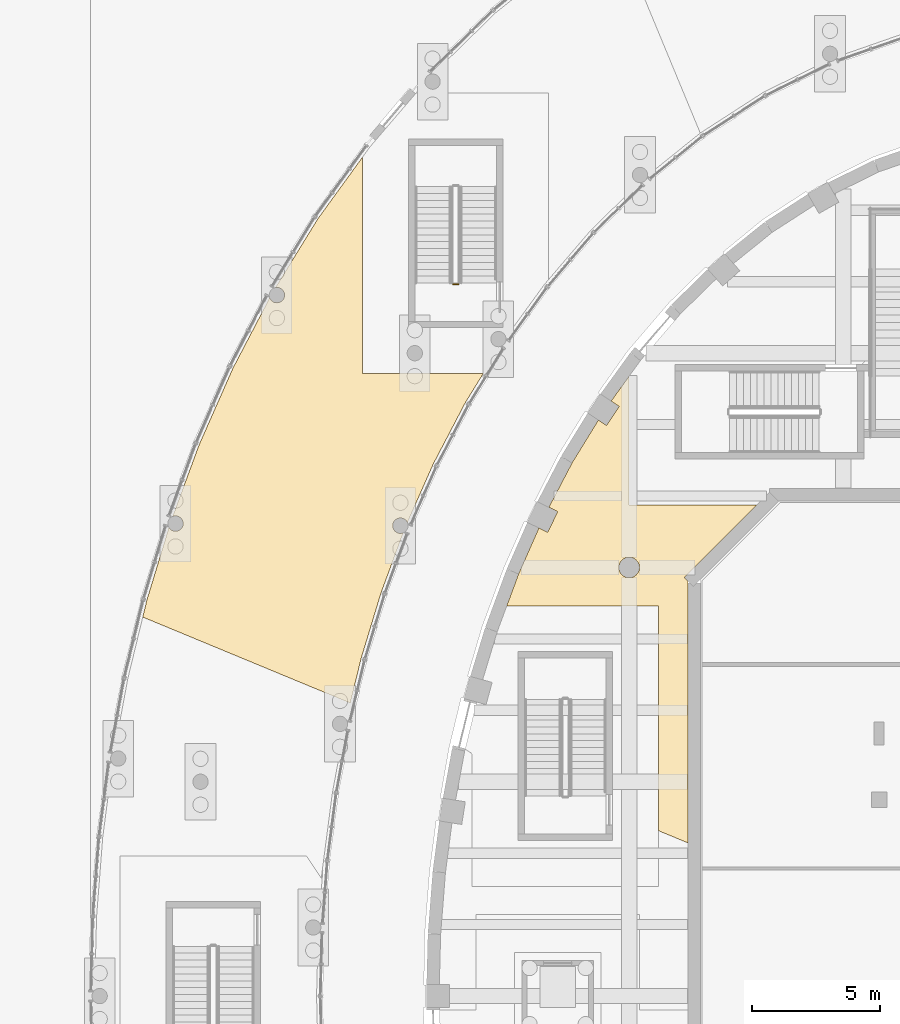
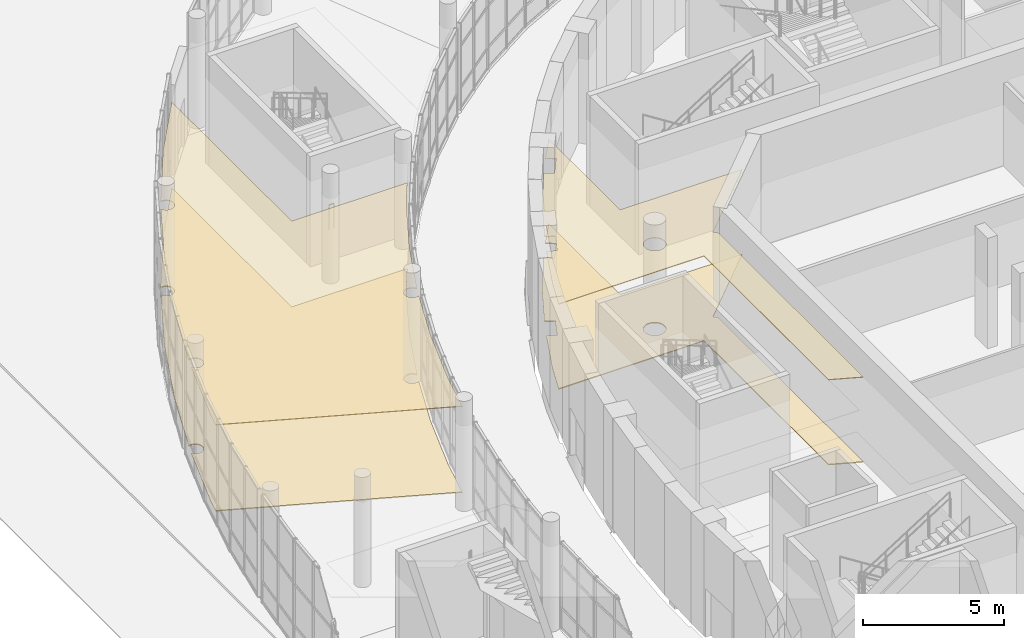
# One storey, part 98 of 110: 4 coverings, 1 railing.
"""IFC4 building model written with IfcOpenShell, lengths in metres."""

from ifc_helpers import new_model, si_unit, direction, frame, origin, origin_2d, place, context, subcontext, project, spatial, polyline, circle, outline, extrude, material, layer, layer_set, type_object, element, save


model = new_model("IFC4")

# Units and contexts
model_context = context("Model", 3, precision=1e-05, world=origin(), true_north=direction((0.0, 1.0)))
body_context = subcontext(model_context, "Body", "Model", "MODEL_VIEW")
ifc_project = project(units=[si_unit("LENGTHUNIT", "METRE"), si_unit("AREAUNIT", "SQUARE_METRE"), si_unit("VOLUMEUNIT", "CUBIC_METRE"), si_unit("PLANEANGLEUNIT", "RADIAN"), si_unit("MASSUNIT", "GRAM", prefix="KILO")], contexts=[model_context])

# Site, building, storey
site_placement = place(None, origin())
site = spatial("IfcSite", under=ifc_project, at=site_placement, CompositionType="ELEMENT")
building_placement = place(site_placement, origin())
building = spatial("IfcBuilding", under=site, at=building_placement, Name="Larchfold Concert Hall", CompositionType="ELEMENT")
storey_placement = place(building_placement, origin())
storey = spatial("IfcBuildingStorey", under=building, at=storey_placement, Name="L00", CompositionType="ELEMENT", Elevation=0.0)

# Coverings
ifc_material_1 = material(Name="Plasterboard ceiling lining")
ifc_layer_1 = layer(ifc_material_1, 0.030029296875)
ifc_layer_set_1 = layer_set([ifc_layer_1], Name="Plasterboard ceiling lining")
covering_type_1 = type_object("IfcCoveringType", Name="Ceiling suspended plasterboard 30", PredefinedType="CEILING", material=ifc_layer_set_1)
covering_1_placement = place(storey_placement, frame((0.0, 0.0, 3.670166015625)))
element("IfcCovering", 1, at=covering_1_placement, inside=storey, type_object=covering_type_1, Name="Ceiling Hall Foyer North West", PredefinedType="CEILING", context=body_context, shape_type="SweptSolid", body=[
    extrude(outline(polyline([(26.949951171875, 99.900146484375), (26.949951171875, 91.08251953125), (28.10009765625, 90.60595703125), (28.10009765625, 100.878662109375), (27.962646484375, 101.01611328125), (30.79638671875, 103.849853515625), (25.800048828125, 103.849853515625), (25.800048828125, 108.898681640625), (25.09423828125, 107.924560546875), (25.412353515625, 107.712158203125), (24.912841796875, 106.963623046875), (24.59423828125, 107.17626953125), (23.564208984375, 105.502685546875), (22.653564453125, 103.759765625), (23.000244140625, 103.59326171875), (22.6103515625, 102.781982421875), (22.262939453125, 102.948974609375), (21.468017578125, 101.149169921875), (21.00634765625, 99.900146484375), (26.949951171875, 99.900146484375)]), holes=[polyline([(25.60009765625, 101.053466796875), (25.556640625, 101.08251953125), (25.51708984375, 101.116943359375), (25.482666015625, 101.156494140625), (25.45361328125, 101.199951171875), (25.430419921875, 101.246826171875), (25.41357421875, 101.29638671875), (25.403564453125, 101.34765625), (25.400146484375, 101.39990234375), (25.403564453125, 101.4521484375), (25.41357421875, 101.50341796875), (25.430419921875, 101.552978515625), (25.45361328125, 101.599853515625), (25.482666015625, 101.643310546875), (25.51708984375, 101.682861328125), (25.556640625, 101.71728515625), (25.60009765625, 101.746337890625), (25.64697265625, 101.76953125), (25.696533203125, 101.786376953125), (25.747802734375, 101.79638671875), (25.800048828125, 101.7998046875), (25.852294921875, 101.79638671875), (25.903564453125, 101.786376953125), (25.953125, 101.76953125), (26.0, 101.746337890625), (26.04345703125, 101.71728515625), (26.0830078125, 101.682861328125), (26.117431640625, 101.643310546875), (26.146484375, 101.599853515625), (26.169677734375, 101.552978515625), (26.1865234375, 101.50341796875), (26.196533203125, 101.4521484375), (26.199951171875, 101.39990234375), (26.196533203125, 101.34765625), (26.1865234375, 101.29638671875), (26.169677734375, 101.246826171875), (26.146484375, 101.199951171875), (26.117431640625, 101.156494140625), (26.0830078125, 101.116943359375), (26.04345703125, 101.08251953125), (26.0, 101.053466796875), (25.953125, 101.0302734375), (25.903564453125, 101.013427734375), (25.852294921875, 101.00341796875), (25.800048828125, 101.0), (25.747802734375, 101.00341796875), (25.696533203125, 101.013427734375), (25.64697265625, 101.0302734375), (25.60009765625, 101.053466796875)])]), origin(), (0.0, 0.0, 1.0), 0.030029296875),
])
covering_2_placement = place(storey_placement, frame((0.0, 0.0, 3.719970703125)))
element("IfcCovering", 2, at=covering_2_placement, inside=storey, type_object=covering_type_1, Name="Ceiling Winter Garden Concourse North West", PredefinedType="CEILING", context=body_context, shape_type="SweptSolid", body=[
    extrude(outline(polyline([(6.89794921875, 100.12255859375), (6.736083984375, 99.455322265625), (14.870849609375, 96.0859375), (15.294189453125, 97.830322265625), (16.077880859375, 100.411376953125), (16.94580078125, 102.75927734375), (16.875, 102.74072265625), (16.8359375, 102.738037109375), (16.75830078125, 102.748291015625), (16.68603515625, 102.7783203125), (16.623779296875, 102.825927734375), (16.576171875, 102.88818359375), (16.558837890625, 102.92333984375), (16.53857421875, 102.9990234375), (16.53857421875, 103.0771484375), (16.558837890625, 103.15283203125), (16.597900390625, 103.220703125), (16.6533203125, 103.276123046875), (16.72119140625, 103.315185546875), (16.75830078125, 103.327880859375), (16.8359375, 103.338134765625), (16.91357421875, 103.327880859375), (16.98583984375, 103.2978515625), (17.048095703125, 103.250244140625), (17.073974609375, 103.220703125), (17.109130859375, 103.160888671875), (18.117431640625, 105.444091796875), (19.3876953125, 107.874755859375), (20.08056640625, 109.0), (15.35888671875, 109.0), (15.3505859375, 109.006103515625), (15.349853515625, 117.48486328125), (13.600830078125, 115.070556640625), (11.939208984375, 112.370361328125), (12.031982421875, 112.373291015625), (12.107666015625, 112.35302734375), (12.175537109375, 112.31396484375), (12.23095703125, 112.258544921875), (12.252685546875, 112.225830078125), (12.28271484375, 112.153564453125), (12.29296875, 112.075927734375), (12.28271484375, 111.998291015625), (12.252685546875, 111.926025390625), (12.205078125, 111.86376953125), (12.142822265625, 111.816162109375), (12.070556640625, 111.7861328125), (12.031982421875, 111.778564453125), (11.953857421875, 111.778564453125), (11.878173828125, 111.798828125), (11.810302734375, 111.837890625), (11.7548828125, 111.893310546875), (11.71240234375, 111.97119140625), (10.275146484375, 109.220947265625), (8.949951171875, 106.221435546875), (7.9072265625, 103.399658203125), (7.97900390625, 103.41845703125), (8.01806640625, 103.421142578125), (8.095703125, 103.410888671875), (8.16796875, 103.380859375), (8.230224609375, 103.333251953125), (8.27783203125, 103.27099609375), (8.307861328125, 103.19873046875), (8.318115234375, 103.12109375), (8.307861328125, 103.04345703125), (8.295166015625, 103.00634765625), (8.256103515625, 102.9384765625), (8.20068359375, 102.883056640625), (8.1328125, 102.843994140625), (8.05712890625, 102.82373046875), (7.97900390625, 102.82373046875), (7.9033203125, 102.843994140625), (7.83544921875, 102.883056640625), (7.805908203125, 102.908935546875), (7.761474609375, 102.966064453125), (6.89794921875, 100.12255859375)])), origin(), (0.0, 0.0, 1.0), 0.030029296875),
])
ifc_material_2 = material(Name="Polished terrazzo")
ifc_layer_2 = layer(ifc_material_2, 0.0400390625)
ifc_layer_set_2 = layer_set([ifc_layer_2], Name="Polished terrazzo")
covering_type_2 = type_object("IfcCoveringType", Name="Floor finish terrazzo 40", PredefinedType="FLOORING", material=ifc_layer_set_2)
covering_3_placement = place(storey_placement, origin())
element("IfcCovering", 3, at=covering_3_placement, inside=storey, type_object=covering_type_2, Name="Floor finish Hall Foyer North West", PredefinedType="FLOORING", context=body_context, shape_type="SweptSolid", body=[
    extrude(outline(polyline([(26.949951171875, 99.900146484375), (26.949951171875, 91.08251953125), (28.10009765625, 90.60595703125), (28.10009765625, 100.878662109375), (27.962646484375, 101.01611328125), (30.79638671875, 103.849853515625), (25.800048828125, 103.849853515625), (25.800048828125, 108.898681640625), (25.09423828125, 107.924560546875), (25.412353515625, 107.712158203125), (24.912841796875, 106.963623046875), (24.59423828125, 107.17626953125), (23.564208984375, 105.502685546875), (22.653564453125, 103.759765625), (23.000244140625, 103.59326171875), (22.6103515625, 102.781982421875), (22.262939453125, 102.948974609375), (21.468017578125, 101.149169921875), (21.00634765625, 99.900146484375), (26.949951171875, 99.900146484375)]), holes=[polyline([(25.60009765625, 101.053466796875), (25.556640625, 101.08251953125), (25.51708984375, 101.116943359375), (25.482666015625, 101.156494140625), (25.45361328125, 101.199951171875), (25.430419921875, 101.246826171875), (25.41357421875, 101.29638671875), (25.403564453125, 101.34765625), (25.400146484375, 101.39990234375), (25.403564453125, 101.4521484375), (25.41357421875, 101.50341796875), (25.430419921875, 101.552978515625), (25.45361328125, 101.599853515625), (25.482666015625, 101.643310546875), (25.51708984375, 101.682861328125), (25.556640625, 101.71728515625), (25.60009765625, 101.746337890625), (25.64697265625, 101.76953125), (25.696533203125, 101.786376953125), (25.747802734375, 101.79638671875), (25.800048828125, 101.7998046875), (25.852294921875, 101.79638671875), (25.903564453125, 101.786376953125), (25.953125, 101.76953125), (26.0, 101.746337890625), (26.04345703125, 101.71728515625), (26.0830078125, 101.682861328125), (26.117431640625, 101.643310546875), (26.146484375, 101.599853515625), (26.169677734375, 101.552978515625), (26.1865234375, 101.50341796875), (26.196533203125, 101.4521484375), (26.199951171875, 101.39990234375), (26.196533203125, 101.34765625), (26.1865234375, 101.29638671875), (26.169677734375, 101.246826171875), (26.146484375, 101.199951171875), (26.117431640625, 101.156494140625), (26.0830078125, 101.116943359375), (26.04345703125, 101.08251953125), (26.0, 101.053466796875), (25.953125, 101.0302734375), (25.903564453125, 101.013427734375), (25.852294921875, 101.00341796875), (25.800048828125, 101.0), (25.747802734375, 101.00341796875), (25.696533203125, 101.013427734375), (25.64697265625, 101.0302734375), (25.60009765625, 101.053466796875)])]), origin(), (0.0, 0.0, 1.0), 0.0400390625),
])
covering_4_placement = place(storey_placement, origin())
element("IfcCovering", 4, at=covering_4_placement, inside=storey, type_object=covering_type_2, Name="Floor finish Winter Garden Concourse North West", PredefinedType="FLOORING", context=body_context, shape_type="SweptSolid", body=[
    extrude(outline(polyline([(6.89794921875, 100.12255859375), (6.736083984375, 99.455322265625), (14.870849609375, 96.0859375), (15.294189453125, 97.830322265625), (16.077880859375, 100.411376953125), (16.94580078125, 102.75927734375), (16.875, 102.74072265625), (16.8359375, 102.738037109375), (16.75830078125, 102.748291015625), (16.68603515625, 102.7783203125), (16.623779296875, 102.825927734375), (16.576171875, 102.88818359375), (16.558837890625, 102.92333984375), (16.53857421875, 102.9990234375), (16.53857421875, 103.0771484375), (16.558837890625, 103.15283203125), (16.597900390625, 103.220703125), (16.6533203125, 103.276123046875), (16.72119140625, 103.315185546875), (16.75830078125, 103.327880859375), (16.8359375, 103.338134765625), (16.91357421875, 103.327880859375), (16.98583984375, 103.2978515625), (17.048095703125, 103.250244140625), (17.073974609375, 103.220703125), (17.109130859375, 103.160888671875), (18.117431640625, 105.444091796875), (19.3876953125, 107.874755859375), (20.08056640625, 109.0), (15.35888671875, 109.0), (15.3505859375, 109.006103515625), (15.349853515625, 117.48486328125), (13.600830078125, 115.070556640625), (11.939208984375, 112.370361328125), (12.031982421875, 112.373291015625), (12.107666015625, 112.35302734375), (12.175537109375, 112.31396484375), (12.23095703125, 112.258544921875), (12.252685546875, 112.225830078125), (12.28271484375, 112.153564453125), (12.29296875, 112.075927734375), (12.28271484375, 111.998291015625), (12.252685546875, 111.926025390625), (12.205078125, 111.86376953125), (12.142822265625, 111.816162109375), (12.070556640625, 111.7861328125), (12.031982421875, 111.778564453125), (11.953857421875, 111.778564453125), (11.878173828125, 111.798828125), (11.810302734375, 111.837890625), (11.7548828125, 111.893310546875), (11.71240234375, 111.97119140625), (10.275146484375, 109.220947265625), (8.949951171875, 106.221435546875), (7.9072265625, 103.399658203125), (7.97900390625, 103.41845703125), (8.01806640625, 103.421142578125), (8.095703125, 103.410888671875), (8.16796875, 103.380859375), (8.230224609375, 103.333251953125), (8.27783203125, 103.27099609375), (8.307861328125, 103.19873046875), (8.318115234375, 103.12109375), (8.307861328125, 103.04345703125), (8.295166015625, 103.00634765625), (8.256103515625, 102.9384765625), (8.20068359375, 102.883056640625), (8.1328125, 102.843994140625), (8.05712890625, 102.82373046875), (7.97900390625, 102.82373046875), (7.9033203125, 102.843994140625), (7.83544921875, 102.883056640625), (7.805908203125, 102.908935546875), (7.761474609375, 102.966064453125), (6.89794921875, 100.12255859375)])), origin(), (0.0, 0.0, 1.0), 0.0400390625),
])

# Railing
ifc_material_3 = material(Name="Stainless steel balustrade", Category="steel")
railing_type = type_object("IfcRailingType", Name="Stair guard 1100", PredefinedType="GUARDRAIL", material=ifc_material_3)
railing_placement = place(storey_placement, frame((19.10009765625, 112.5, 0.0)))
element("IfcRailing", 5, at=railing_placement, inside=storey, type_object=railing_type, Name="Guard GR0104", PredefinedType="GUARDRAIL", context=body_context, shape_type="SweptSolid", body=[
    extrude(circle(Radius=0.02392578125, at=origin_2d()), frame((0.0, 0.0, 1.076171875), z_axis=(-1.0, 0.0, 0.0), x_axis=(0.0, -1.0, 0.0)), (0.0, 0.0, 1.0), 0.199951171875),
    extrude(circle(Radius=0.02099609375, at=origin_2d()), origin(), (0.0, 0.0, 1.0), 1.052001953125),
    extrude(circle(Radius=0.02099609375, at=origin_2d()), frame((-0.199951171875, 0.0, 0.0)), (0.0, 0.0, 1.0), 1.052001953125),
])

save(model, "model.ifc")
